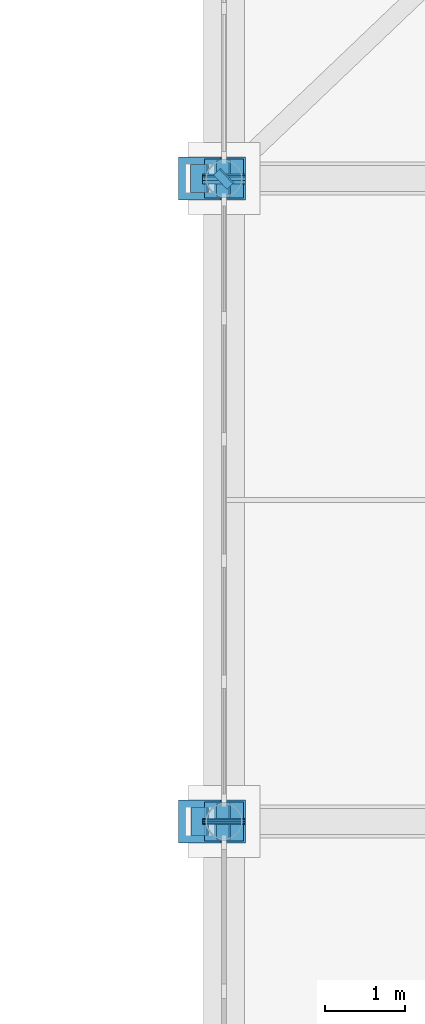
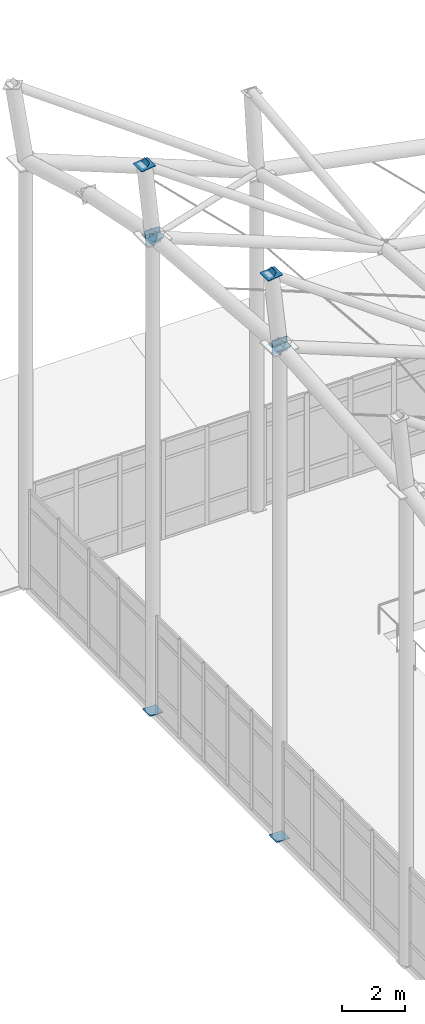
# One storey, part 102 of 138: 17 discrete accessories.
"""IFC4 building model written with IfcOpenShell, lengths in metres."""

from ifc_helpers import new_model, si_unit, direction, frame, origin, origin_2d, place, context, subcontext, project, spatial, rectangle, extrude, material, layer, layer_set, type_object, element, save


model = new_model("IFC4")

# Units and contexts
model_context = context("Model", 3, precision=1e-05, world=origin(), true_north=direction((0.0, 1.0)))
body_context = subcontext(model_context, "Body", "Model", "MODEL_VIEW")
ifc_project = project(units=[si_unit("LENGTHUNIT", "METRE"), si_unit("AREAUNIT", "SQUARE_METRE"), si_unit("VOLUMEUNIT", "CUBIC_METRE"), si_unit("PLANEANGLEUNIT", "RADIAN"), si_unit("MASSUNIT", "GRAM", prefix="KILO")], contexts=[model_context])

# Site, building, storey
site_placement = place(None, origin())
site = spatial("IfcSite", under=ifc_project, at=site_placement, CompositionType="ELEMENT")
building_placement = place(site_placement, origin())
building = spatial("IfcBuilding", under=site, at=building_placement, Name="Kranzveld Transit Interchange", CompositionType="ELEMENT")
storey_placement = place(building_placement, frame((0.0, 0.0, 5.43994140625)))
storey = spatial("IfcBuildingStorey", under=building, at=storey_placement, Name="L01", CompositionType="ELEMENT", Elevation=5.43994140625)

# Discrete accessories
ifc_material = material(Name="Steel S355JR", Category="steel")
ifc_layer = layer(ifc_material, 0.02001953125)
ifc_layer_set = layer_set([ifc_layer], Name="Steel S355JR")
discrete_accessory_type = type_object("IfcDiscreteAccessoryType", Name="Hollow Section End Cap Bracket 20 S355JR", PredefinedType="BRACKET", material=ifc_layer_set)
for number, where, z_axis, x_axis, name in (
    (1, (58.800048828125, 72.0, 0.004150390625), (0.0, 0.0, -1.0), (1.0, 0.0, 0.0), "Hollow Section End Cap C-CHS457-1"),
    (2, (58.800048828125, 72.0, 18.8759765625), (0.0, 0.0, 1.0), (1.0, 0.0, 0.0), "Hollow Section End Cap C-CHS457-2"),
    (3, (58.800048828125, 80.0, 0.004150390625), (0.0, 0.0, -1.0), (1.0, 0.0, 0.0), "Hollow Section End Cap C-CHS457-1"),
    (4, (58.800048828125, 80.0, 18.22607421875), (0.0, 0.0, 1.0), (1.0, 0.0, 0.0), "Hollow Section End Cap C-CHS457-2"),
):
    element("IfcDiscreteAccessory", number, at=place(storey_placement, frame(where, z_axis=z_axis, x_axis=x_axis)), inside=storey, type_object=discrete_accessory_type, Name=name, PredefinedType="BRACKET", context=body_context, shape_type="SweptSolid", body=[
        extrude(rectangle(XDim=0.48095703125, YDim=0.48095703125, at=origin_2d()), origin(), (0.0, 0.0, 1.0), 0.02001953125),
    ])
discrete_accessory_1_placement = place(storey_placement, frame((58.800048828125, 80.00390625, 18.25927734375), z_axis=(0.0, -0.980580675691, 0.196116135138), x_axis=(1.0, 0.0, 0.0)))
element("IfcDiscreteAccessory", 5, at=discrete_accessory_1_placement, inside=storey, type_object=discrete_accessory_type, Name="Hollow Section End Cap B-RNG508-2", PredefinedType="BRACKET", context=body_context, shape_type="SweptSolid", body=[
    extrude(rectangle(XDim=0.531982421875, YDim=0.531982421875, at=origin_2d()), origin(), (0.0, 0.0, 1.0), 0.02001953125),
])
for number, where, z_axis, x_axis, name in (
    (6, (58.800048828125, 79.99609375, 18.260498046875), (0.0, 0.996286600035, -0.086098841978), (-1.0, 0.0, 0.0), "Hollow Section End Cap B-RNG508-1"),
    (7, (58.800048828125, 72.00390625, 18.90966796875), (0.0, -0.996286600035, 0.086098841978), (1.0, 0.0, 0.0), "Hollow Section End Cap B-RNG508-2"),
    (8, (58.800048828125, 71.99609375, 18.90966796875), (0.0, 0.996286600035, 0.086098841978), (-1.0, 0.0, 0.0), "Hollow Section End Cap B-RNG508-1"),
):
    element("IfcDiscreteAccessory", number, at=place(storey_placement, frame(where, z_axis=z_axis, x_axis=x_axis)), inside=storey, type_object=discrete_accessory_type, Name=name, PredefinedType="BRACKET", context=body_context, shape_type="SweptSolid", body=[
        extrude(rectangle(XDim=0.531982421875, YDim=0.531982421875, at=origin_2d()), origin(), (0.0, 0.0, 1.0), 0.019775390625),
    ])
discrete_accessory_2_placement = place(storey_placement, frame((58.799560546875, 72.0, 18.93408203125), z_axis=(0.109100928002, 0.0, -0.994030677348), x_axis=(0.0, 1.0, 0.0)))
element("IfcDiscreteAccessory", 9, at=discrete_accessory_2_placement, inside=storey, type_object=discrete_accessory_type, Name="Hollow Section End Cap C-MST508-1", PredefinedType="BRACKET", context=body_context, shape_type="SweptSolid", body=[
    extrude(rectangle(XDim=0.531982421875, YDim=0.531982421875, at=origin_2d()), origin(), (0.0, 0.0, 1.0), 0.02001953125),
])
discrete_accessory_3_placement = place(storey_placement, frame((58.50048828125, 72.0, 21.756103515625), z_axis=(-0.110431526075, 0.0, 0.993883734674), x_axis=(0.0, -1.0, 0.0)))
element("IfcDiscreteAccessory", 10, at=discrete_accessory_3_placement, inside=storey, type_object=discrete_accessory_type, Name="Hollow Section End Cap C-MST508-2", PredefinedType="BRACKET", context=body_context, shape_type="SweptSolid", body=[
    extrude(rectangle(XDim=0.531982421875, YDim=0.531982421875, at=origin_2d()), origin(), (0.0, 0.0, 1.0), 0.019775390625),
])
discrete_accessory_4_placement = place(storey_placement, frame((58.503173828125, 72.0, 21.7578125), z_axis=(-0.814566547041, 0.0, 0.580070116832), x_axis=(0.0, -1.0, 0.0)))
element("IfcDiscreteAccessory", 11, at=discrete_accessory_4_placement, inside=storey, type_object=discrete_accessory_type, Name="Hollow Section End Cap ST-CHS324-2", PredefinedType="BRACKET", context=body_context, shape_type="SweptSolid", body=[
    extrude(rectangle(XDim=0.347900390625, YDim=0.347900390625, at=origin_2d()), origin(), (0.0, 0.0, 1.0), 0.019775390625),
])
for number, where, z_axis, x_axis, name in (
    (12, (58.799560546875, 80.0, 18.283935546875), (0.110431526075, 0.0, -0.993883734674), (0.0, 1.0, 0.0), "Hollow Section End Cap C-MST508-1"),
    (13, (58.50048828125, 80.0, 21.106201171875), (-0.110431526075, 0.0, 0.993883734674), (0.0, -1.0, 0.0), "Hollow Section End Cap C-MST508-2"),
):
    element("IfcDiscreteAccessory", number, at=place(storey_placement, frame(where, z_axis=z_axis, x_axis=x_axis)), inside=storey, type_object=discrete_accessory_type, Name=name, PredefinedType="BRACKET", context=body_context, shape_type="SweptSolid", body=[
        extrude(rectangle(XDim=0.531982421875, YDim=0.531982421875, at=origin_2d()), origin(), (0.0, 0.0, 1.0), 0.019775390625),
    ])
discrete_accessory_5_placement = place(storey_placement, frame((58.503173828125, 80.0, 21.107666015625), z_axis=(-0.808736084303, 0.0, 0.588171697675), x_axis=(0.0, -1.0, 0.0)))
element("IfcDiscreteAccessory", 14, at=discrete_accessory_5_placement, inside=storey, type_object=discrete_accessory_type, Name="Hollow Section End Cap ST-CHS324-2", PredefinedType="BRACKET", context=body_context, shape_type="SweptSolid", body=[
    extrude(rectangle(XDim=0.347900390625, YDim=0.347900390625, at=origin_2d()), origin(), (0.0, 0.0, 1.0), 0.02001953125),
])
for number, where, z_axis, x_axis, name in (
    (15, (58.8037109375, 72.0, 18.878662109375), (-0.930155221331, 0.0, 0.367166534736), (0.0, -1.0, 0.0), "Hollow Section End Cap B-RIB406-1"),
    (16, (58.8037109375, 80.0, 18.228515625), (-0.930155221331, 0.0, 0.367166534736), (0.0, -1.0, 0.0), "Hollow Section End Cap B-RIB406-1"),
):
    element("IfcDiscreteAccessory", number, at=place(storey_placement, frame(where, z_axis=z_axis, x_axis=x_axis)), inside=storey, type_object=discrete_accessory_type, Name=name, PredefinedType="BRACKET", context=body_context, shape_type="SweptSolid", body=[
        extrude(rectangle(XDim=0.430419921875, YDim=0.430419921875, at=origin_2d()), origin(), (0.0, 0.0, 1.0), 0.02001953125),
    ])
discrete_accessory_6_placement = place(storey_placement, frame((58.802734375, 80.00244140625, 18.20849609375), z_axis=(-0.661048307145, -0.624323401192, 0.416215600795), x_axis=(0.686623532964, -0.72701315255, 0.0)))
element("IfcDiscreteAccessory", 17, at=discrete_accessory_6_placement, inside=storey, type_object=discrete_accessory_type, Name="Hollow Section End Cap BR-CHS219-1", PredefinedType="BRACKET", context=body_context, shape_type="SweptSolid", body=[
    extrude(rectangle(XDim=0.2431640625, YDim=0.2431640625, at=origin_2d()), origin(), (0.0, 0.0, 1.0), 0.02001953125),
])

save(model, "model.ifc")
